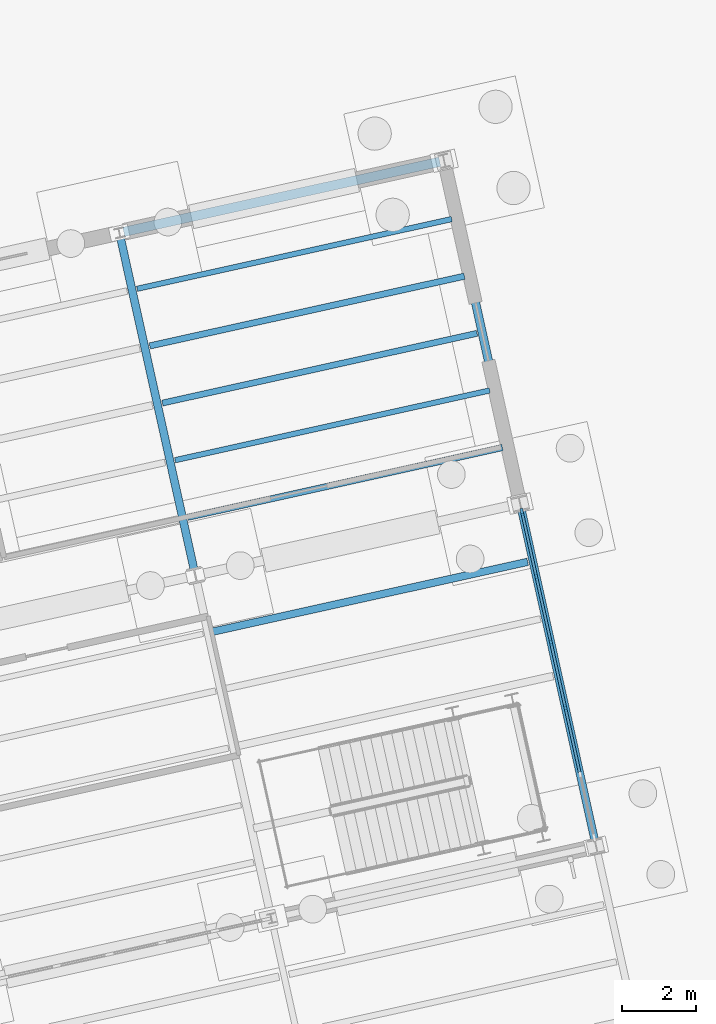
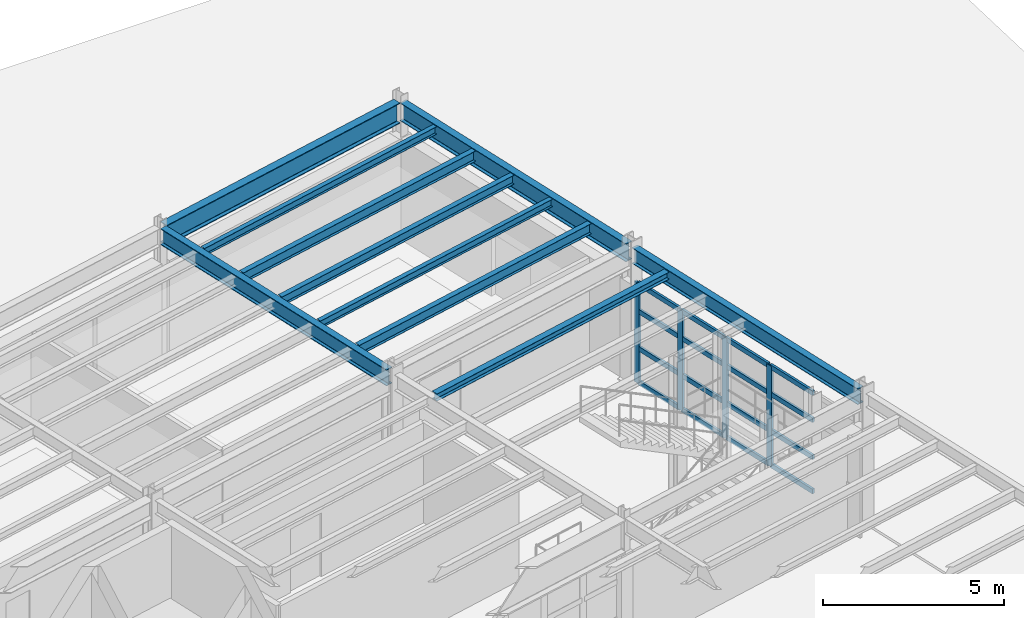
# One storey, part 59 of 108: 20 members, 10 beams, 1 element without a shape of its own.
"""IFC4 building model written with IfcOpenShell, lengths in metres."""

from ifc_helpers import new_model, si_unit, direction, frame, origin, origin_2d, place, context, subcontext, project, spatial, rectangle, i_section, extrude, material, layer, layer_set, material_profile, profile_set, type_object, element, aggregate, save


model = new_model("IFC4")

# Units and contexts
model_context = context("Model", 3, precision=1e-05, world=origin(), true_north=direction((0.0, 1.0)))
body_context = subcontext(model_context, "Body", "Model", "MODEL_VIEW")
ifc_project = project(units=[si_unit("LENGTHUNIT", "METRE"), si_unit("AREAUNIT", "SQUARE_METRE"), si_unit("VOLUMEUNIT", "CUBIC_METRE"), si_unit("PLANEANGLEUNIT", "RADIAN"), si_unit("MASSUNIT", "GRAM", prefix="KILO")], contexts=[model_context])

# Site, building, storey
site_placement = place(None, origin())
site = spatial("IfcSite", under=ifc_project, at=site_placement, CompositionType="ELEMENT")
building_placement = place(site_placement, origin())
building = spatial("IfcBuilding", under=site, at=building_placement, Name="Vireo Bluff Cable Station", CompositionType="ELEMENT")
storey_placement = place(building_placement, origin())
storey = spatial("IfcBuildingStorey", under=building, at=storey_placement, Name="L00", CompositionType="ELEMENT", Elevation=0.0)

# Beam
ifc_material_1 = material(Name="Steel ASTM A992 Gr. 50", Category="steel")
ifc_material_profile_1 = material_profile(ifc_material_1, i_section(OverallWidth=0.214111328125, OverallDepth=0.549072265625, WebThickness=0.0146484375, FlangeThickness=0.023681640625, FilletRadius=0.012939453125, at=origin_2d()), Name="W21X93")
ifc_profile_set_1 = profile_set([ifc_material_profile_1], Name="Steel ASTM A992 Gr. 50")
beam_type_1 = type_object("IfcBeamType", Name="BM-W21X93", PredefinedType="BEAM", material=ifc_profile_set_1)
beam_1_placement = place(storey_placement, frame((148.2216796875, 98.5107421875, 4.265380859375), z_axis=(-0.216430734067, 0.976297975698, 0.0), x_axis=(-0.976297975698, -0.216430734067, 0.0)))
element("IfcBeam", 1, at=beam_1_placement, inside=storey, type_object=beam_type_1, Name="V2 L00 beam 383", PredefinedType="BEAM", context=body_context, shape_type="SweptSolid", body=[
    extrude(i_section(OverallWidth=0.214111328125, OverallDepth=0.549072265625, WebThickness=0.0146484375, FlangeThickness=0.023681640625, FilletRadius=0.012939453125, at=origin_2d()), origin(), (0.0, 0.0, 1.0), 9.260009765625),
])

# Curtain wall, members
ifc_material_2 = material(Name="Anodized Aluminium 6063-T6", Category="aluminium")
ifc_layer = layer(ifc_material_2, 0.159912109375, Name="Anodized Aluminium 6063-T6")
ifc_layer_set = layer_set([ifc_layer], Name="Anodized Aluminium 6063-T6")
curtain_wall_type = type_object("IfcCurtainWallType", Name="CW-STICK-1850", PredefinedType="USERDEFINED", material=ifc_layer_set)
curtain_wall_placement = place(storey_placement, origin())
curtain_wall = element("IfcCurtainWall", 2, at=curtain_wall_placement, inside=storey, type_object=curtain_wall_type, Name="V2 L00 east curtain wall CW-041", ObjectType="STICK CURTAIN WALL", PredefinedType="USERDEFINED")
ifc_material_profile_2 = material_profile(ifc_material_2, rectangle(XDim=0.074951171875, YDim=0.2099609375, at=origin_2d()), Name="ALU-M-75X210")
ifc_profile_set_2 = profile_set([ifc_material_profile_2], Name="Anodized Aluminium 6063-T6")
member_type_1 = type_object("IfcMemberType", Name="CWM-02", PredefinedType="MULLION", material=ifc_profile_set_2)
member_1_placement = place(storey_placement, frame((157.0859375, 100.108154296875, 0.0), z_axis=(0.0, 0.0, 1.0), x_axis=(0.976296012171, 0.216439591156, 0.0)))
member_1 = element("IfcMember", 3, at=member_1_placement, type_object=member_type_1, Name="CW-041 mullion 1", PredefinedType="MULLION", context=body_context, shape_type="SweptSolid", body=[
    extrude(rectangle(XDim=0.074951171875, YDim=0.2099609375, at=origin_2d()), origin(), (0.0, 0.0, 1.0), 3.39990234375),
])
member_2_placement = place(storey_placement, frame((157.4716796875, 98.368408203125, 0.0), z_axis=(0.0, 0.0, 1.0), x_axis=(0.976296012171, 0.216439591156, 0.0)))
member_2 = element("IfcMember", 4, at=member_2_placement, type_object=member_type_1, Name="CW-041 mullion 2", PredefinedType="MULLION", context=body_context, shape_type="SweptSolid", body=[
    extrude(rectangle(XDim=0.074951171875, YDim=0.2099609375, at=origin_2d()), origin(), (0.0, 0.0, 1.0), 3.39990234375),
])
member_3_placement = place(storey_placement, frame((157.865478515625, 96.59228515625, 0.0), z_axis=(0.0, 0.0, 1.0), x_axis=(0.976296012171, 0.216439591156, 0.0)))
member_3 = element("IfcMember", 5, at=member_3_placement, type_object=member_type_1, Name="CW-041 mullion 3", PredefinedType="MULLION", context=body_context, shape_type="SweptSolid", body=[
    extrude(rectangle(XDim=0.074951171875, YDim=0.2099609375, at=origin_2d()), origin(), (0.0, 0.0, 1.0), 3.39990234375),
])
member_4_placement = place(storey_placement, frame((158.25927734375, 94.81591796875, 0.0), z_axis=(0.0, 0.0, 1.0), x_axis=(0.976296012171, 0.216439591156, 0.0)))
member_4 = element("IfcMember", 6, at=member_4_placement, type_object=member_type_1, Name="CW-041 mullion 4", PredefinedType="MULLION", context=body_context, shape_type="SweptSolid", body=[
    extrude(rectangle(XDim=0.074951171875, YDim=0.2099609375, at=origin_2d()), origin(), (0.0, 0.0, 1.0), 3.39990234375),
])
ifc_material_profile_3 = material_profile(ifc_material_2, rectangle(XDim=0.074951171875, YDim=0.159912109375, at=origin_2d()), Name="ALU-T-75X160")
ifc_profile_set_3 = profile_set([ifc_material_profile_3], Name="Anodized Aluminium 6063-T6")
member_type_2 = type_object("IfcMemberType", Name="CWT-02", PredefinedType="USERDEFINED", material=ifc_profile_set_3)
member_5_placement = place(storey_placement, frame((157.09423828125, 100.071533203125, 0.03759765625), z_axis=(0.216400383302, -0.976304703516, 0.0), x_axis=(0.976304703516, 0.216400383302, 0.0)))
member_5 = element("IfcMember", 7, at=member_5_placement, type_object=member_type_2, Name="CW-041 transom 1.1", ObjectType="TRANSOM", PredefinedType="USERDEFINED", context=body_context, shape_type="SweptSolid", body=[
    extrude(rectangle(XDim=0.074951171875, YDim=0.159912109375, at=origin_2d()), origin(), (0.0, 0.0, 1.0), 1.70703125),
])
member_6_placement = place(storey_placement, frame((157.09423828125, 100.071533203125, 1.18994140625), z_axis=(0.216400383302, -0.976304703516, 0.0), x_axis=(0.976304703516, 0.216400383302, 0.0)))
member_6 = element("IfcMember", 8, at=member_6_placement, type_object=member_type_2, Name="CW-041 transom 1.2", ObjectType="TRANSOM", PredefinedType="USERDEFINED", context=body_context, shape_type="SweptSolid", body=[
    extrude(rectangle(XDim=0.074951171875, YDim=0.159912109375, at=origin_2d()), origin(), (0.0, 0.0, 1.0), 1.70703125),
])
member_7_placement = place(storey_placement, frame((157.09423828125, 100.071533203125, 2.447998046875), z_axis=(0.216400383302, -0.976304703516, 0.0), x_axis=(0.976304703516, 0.216400383302, 0.0)))
member_7 = element("IfcMember", 9, at=member_7_placement, type_object=member_type_2, Name="CW-041 transom 1.3", ObjectType="TRANSOM", PredefinedType="USERDEFINED", context=body_context, shape_type="SweptSolid", body=[
    extrude(rectangle(XDim=0.074951171875, YDim=0.159912109375, at=origin_2d()), origin(), (0.0, 0.0, 1.0), 1.70703125),
])
member_8_placement = place(storey_placement, frame((157.09423828125, 100.071533203125, 3.362548828125), z_axis=(0.216400383302, -0.976304703516, 0.0), x_axis=(0.976304703516, 0.216400383302, 0.0)))
member_8 = element("IfcMember", 10, at=member_8_placement, type_object=member_type_2, Name="CW-041 transom 1.4", ObjectType="TRANSOM", PredefinedType="USERDEFINED", context=body_context, shape_type="SweptSolid", body=[
    extrude(rectangle(XDim=0.074951171875, YDim=0.159912109375, at=origin_2d()), origin(), (0.0, 0.0, 1.0), 1.70703125),
])
member_9_placement = place(storey_placement, frame((157.479736328125, 98.331787109375, 0.03759765625), z_axis=(0.216530296152, -0.976275898939, 0.0), x_axis=(0.976275898939, 0.216530296152, 0.0)))
member_9 = element("IfcMember", 11, at=member_9_placement, type_object=member_type_2, Name="CW-041 transom 2.1", ObjectType="TRANSOM", PredefinedType="USERDEFINED", context=body_context, shape_type="SweptSolid", body=[
    extrude(rectangle(XDim=0.074951171875, YDim=0.159912109375, at=origin_2d()), origin(), (0.0, 0.0, 1.0), 1.744140625),
])
member_10_placement = place(storey_placement, frame((157.479736328125, 98.331787109375, 1.18994140625), z_axis=(0.216530296152, -0.976275898939, 0.0), x_axis=(0.976275898939, 0.216530296152, 0.0)))
member_10 = element("IfcMember", 12, at=member_10_placement, type_object=member_type_2, Name="CW-041 transom 2.2", ObjectType="TRANSOM", PredefinedType="USERDEFINED", context=body_context, shape_type="SweptSolid", body=[
    extrude(rectangle(XDim=0.074951171875, YDim=0.159912109375, at=origin_2d()), origin(), (0.0, 0.0, 1.0), 1.744140625),
])
member_11_placement = place(storey_placement, frame((157.479736328125, 98.331787109375, 2.447998046875), z_axis=(0.216530296152, -0.976275898939, 0.0), x_axis=(0.976275898939, 0.216530296152, 0.0)))
member_11 = element("IfcMember", 13, at=member_11_placement, type_object=member_type_2, Name="CW-041 transom 2.3", ObjectType="TRANSOM", PredefinedType="USERDEFINED", context=body_context, shape_type="SweptSolid", body=[
    extrude(rectangle(XDim=0.074951171875, YDim=0.159912109375, at=origin_2d()), origin(), (0.0, 0.0, 1.0), 1.744140625),
])
member_12_placement = place(storey_placement, frame((157.479736328125, 98.331787109375, 3.362548828125), z_axis=(0.216530296152, -0.976275898939, 0.0), x_axis=(0.976275898939, 0.216530296152, 0.0)))
member_12 = element("IfcMember", 14, at=member_12_placement, type_object=member_type_2, Name="CW-041 transom 2.4", ObjectType="TRANSOM", PredefinedType="USERDEFINED", context=body_context, shape_type="SweptSolid", body=[
    extrude(rectangle(XDim=0.074951171875, YDim=0.159912109375, at=origin_2d()), origin(), (0.0, 0.0, 1.0), 1.744140625),
])
member_13_placement = place(storey_placement, frame((157.87353515625, 96.5556640625, 0.03759765625), z_axis=(0.216500711823, -0.976282460039, 0.0), x_axis=(0.976282460039, 0.216500711823, 0.0)))
member_13 = element("IfcMember", 15, at=member_13_placement, type_object=member_type_2, Name="CW-041 transom 3.1", ObjectType="TRANSOM", PredefinedType="USERDEFINED", context=body_context, shape_type="SweptSolid", body=[
    extrude(rectangle(XDim=0.074951171875, YDim=0.159912109375, at=origin_2d()), origin(), (0.0, 0.0, 1.0), 1.744384765625),
])
member_14_placement = place(storey_placement, frame((157.87353515625, 96.5556640625, 1.18994140625), z_axis=(0.216500711823, -0.976282460039, 0.0), x_axis=(0.976282460039, 0.216500711823, 0.0)))
member_14 = element("IfcMember", 16, at=member_14_placement, type_object=member_type_2, Name="CW-041 transom 3.2", ObjectType="TRANSOM", PredefinedType="USERDEFINED", context=body_context, shape_type="SweptSolid", body=[
    extrude(rectangle(XDim=0.074951171875, YDim=0.159912109375, at=origin_2d()), origin(), (0.0, 0.0, 1.0), 1.744384765625),
])
member_15_placement = place(storey_placement, frame((157.87353515625, 96.5556640625, 2.447998046875), z_axis=(0.216500711823, -0.976282460039, 0.0), x_axis=(0.976282460039, 0.216500711823, 0.0)))
member_15 = element("IfcMember", 17, at=member_15_placement, type_object=member_type_2, Name="CW-041 transom 3.3", ObjectType="TRANSOM", PredefinedType="USERDEFINED", context=body_context, shape_type="SweptSolid", body=[
    extrude(rectangle(XDim=0.074951171875, YDim=0.159912109375, at=origin_2d()), origin(), (0.0, 0.0, 1.0), 1.744384765625),
])
member_16_placement = place(storey_placement, frame((157.87353515625, 96.5556640625, 3.362548828125), z_axis=(0.216500711823, -0.976282460039, 0.0), x_axis=(0.976282460039, 0.216500711823, 0.0)))
member_16 = element("IfcMember", 18, at=member_16_placement, type_object=member_type_2, Name="CW-041 transom 3.4", ObjectType="TRANSOM", PredefinedType="USERDEFINED", context=body_context, shape_type="SweptSolid", body=[
    extrude(rectangle(XDim=0.074951171875, YDim=0.159912109375, at=origin_2d()), origin(), (0.0, 0.0, 1.0), 1.744384765625),
])
member_17_placement = place(storey_placement, frame((158.267333984375, 94.779296875, 0.03759765625), z_axis=(0.216500711823, -0.976282460039, 0.0), x_axis=(0.976282460039, 0.216500711823, 0.0)))
member_17 = element("IfcMember", 19, at=member_17_placement, type_object=member_type_2, Name="CW-041 transom 4.1", ObjectType="TRANSOM", PredefinedType="USERDEFINED", context=body_context, shape_type="SweptSolid", body=[
    extrude(rectangle(XDim=0.074951171875, YDim=0.159912109375, at=origin_2d()), origin(), (0.0, 0.0, 1.0), 1.744384765625),
])
member_18_placement = place(storey_placement, frame((158.267333984375, 94.779296875, 1.18994140625), z_axis=(0.216500711823, -0.976282460039, 0.0), x_axis=(0.976282460039, 0.216500711823, 0.0)))
member_18 = element("IfcMember", 20, at=member_18_placement, type_object=member_type_2, Name="CW-041 transom 4.2", ObjectType="TRANSOM", PredefinedType="USERDEFINED", context=body_context, shape_type="SweptSolid", body=[
    extrude(rectangle(XDim=0.074951171875, YDim=0.159912109375, at=origin_2d()), origin(), (0.0, 0.0, 1.0), 1.744384765625),
])
member_19_placement = place(storey_placement, frame((158.267333984375, 94.779296875, 2.447998046875), z_axis=(0.216500711823, -0.976282460039, 0.0), x_axis=(0.976282460039, 0.216500711823, 0.0)))
member_19 = element("IfcMember", 21, at=member_19_placement, type_object=member_type_2, Name="CW-041 transom 4.3", ObjectType="TRANSOM", PredefinedType="USERDEFINED", context=body_context, shape_type="SweptSolid", body=[
    extrude(rectangle(XDim=0.074951171875, YDim=0.159912109375, at=origin_2d()), origin(), (0.0, 0.0, 1.0), 1.744384765625),
])
member_20_placement = place(storey_placement, frame((158.267333984375, 94.779296875, 3.362548828125), z_axis=(0.216500711823, -0.976282460039, 0.0), x_axis=(0.976282460039, 0.216500711823, 0.0)))
member_20 = element("IfcMember", 22, at=member_20_placement, type_object=member_type_2, Name="CW-041 transom 4.4", ObjectType="TRANSOM", PredefinedType="USERDEFINED", context=body_context, shape_type="SweptSolid", body=[
    extrude(rectangle(XDim=0.074951171875, YDim=0.159912109375, at=origin_2d()), origin(), (0.0, 0.0, 1.0), 1.744384765625),
])
aggregate(curtain_wall, [member_1, member_2, member_3, member_4, member_5, member_6, member_7, member_8, member_9, member_10, member_11, member_12, member_13, member_14, member_15, member_16, member_17, member_18, member_19, member_20])

# Beams
ifc_material_profile_4 = material_profile(ifc_material_1, i_section(OverallWidth=0.14599609375, OverallDepth=0.259033203125, WebThickness=0.006103515625, FlangeThickness=0.009033203125, FilletRadius=0.009033203125, at=origin_2d()), Name="W10X22")
ifc_profile_set_4 = profile_set([ifc_material_profile_4], Name="Steel ASTM A992 Gr. 50")
beam_type_2 = type_object("IfcBeamType", Name="JST-W10X22", PredefinedType="JOIST", material=ifc_profile_set_4)
for number, where, z_axis, x_axis, name in (
    (23, (147.698974609375, 101.515380859375, 4.410400390625), (0.976293006815, 0.216453146994, 0.0), (-0.216453146994, 0.976293006815, 0.0), "V2 L00 composite joist 436"),
    (24, (146.6708984375, 106.15283203125, 4.410400390625), (0.976298923088, 0.216426460438, 0.0), (-0.216426460438, 0.976298923088, 0.0), "V2 L00 composite joist 439"),
):
    element("IfcBeam", number, at=place(storey_placement, frame(where, z_axis=z_axis, x_axis=x_axis)), inside=storey, type_object=beam_type_2, Name=name, PredefinedType="JOIST", context=body_context, shape_type="SweptSolid", body=[
        extrude(i_section(OverallWidth=0.14599609375, OverallDepth=0.259033203125, WebThickness=0.006103515625, FlangeThickness=0.009033203125, FilletRadius=0.009033203125, at=origin_2d()), origin(), (0.0, 0.0, 1.0), 8.719970703125),
    ])
ifc_material_profile_5 = material_profile(ifc_material_1, i_section(OverallWidth=0.201904296875, OverallDepth=0.2470703125, WebThickness=0.00732421875, FlangeThickness=0.010986328125, FilletRadius=0.009033203125, at=origin_2d()), Name="W10X33")
ifc_profile_set_5 = profile_set([ifc_material_profile_5], Name="Steel ASTM A992 Gr. 50")
beam_type_3 = type_object("IfcBeamType", Name="JST-W10X33", PredefinedType="JOIST", material=ifc_profile_set_5)
beam_2_placement = place(storey_placement, frame((148.72705078125, 96.8779296875, 4.41650390625), z_axis=(0.976293006815, 0.216453146994, 0.0), x_axis=(-0.216453146994, 0.976293006815, 0.0)))
element("IfcBeam", 25, at=beam_2_placement, inside=storey, type_object=beam_type_3, Name="V2 L00 composite joist 434", PredefinedType="JOIST", context=body_context, shape_type="SweptSolid", body=[
    extrude(i_section(OverallWidth=0.201904296875, OverallDepth=0.2470703125, WebThickness=0.00732421875, FlangeThickness=0.010986328125, FilletRadius=0.009033203125, at=origin_2d()), origin(), (0.0, 0.0, 1.0), 8.719970703125),
])
ifc_material_profile_6 = material_profile(ifc_material_1, i_section(OverallWidth=0.1650390625, OverallDepth=0.31005859375, WebThickness=0.005859375, FlangeThickness=0.009765625, FilletRadius=0.010009765625, at=origin_2d()), Name="W12X26")
ifc_profile_set_6 = profile_set([ifc_material_profile_6], Name="Steel ASTM A992 Gr. 50")
beam_type_4 = type_object("IfcBeamType", Name="JST-W12X26", PredefinedType="JOIST", material=ifc_profile_set_6)
beam_3_placement = place(storey_placement, frame((147.356201171875, 103.061279296875, 4.385009765625), z_axis=(0.976300234484, 0.216420544652, 0.0), x_axis=(-0.216420544652, 0.976300234484, 0.0)))
element("IfcBeam", 26, at=beam_3_placement, inside=storey, type_object=beam_type_4, Name="V2 L00 composite joist 437", PredefinedType="JOIST", context=body_context, shape_type="SweptSolid", body=[
    extrude(i_section(OverallWidth=0.1650390625, OverallDepth=0.31005859375, WebThickness=0.005859375, FlangeThickness=0.009765625, FilletRadius=0.010009765625, at=origin_2d()), origin(), (0.0, 0.0, 1.0), 8.719970703125),
])
ifc_material_profile_7 = material_profile(ifc_material_1, i_section(OverallWidth=0.1708984375, OverallDepth=0.35107421875, WebThickness=0.0068359375, FlangeThickness=0.009765625, FilletRadius=0.010009765625, at=origin_2d()), Name="W14X30")
ifc_profile_set_7 = profile_set([ifc_material_profile_7], Name="Steel ASTM A992 Gr. 50")
beam_type_5 = type_object("IfcBeamType", Name="JST-W14X30", PredefinedType="JOIST", material=ifc_profile_set_7)
for number, where, z_axis, x_axis, name in (
    (27, (148.04150390625, 99.969482421875, 4.364501953125), (0.976294318526, 0.216447230551, 0.0), (-0.216447230551, 0.976294318526, 0.0), "V2 L00 composite joist 435"),
    (28, (147.013427734375, 104.60693359375, 4.364501953125), (0.976294318526, 0.216447230551, 0.0), (-0.216447230551, 0.976294318526, 0.0), "V2 L00 composite joist 438"),
):
    element("IfcBeam", number, at=place(storey_placement, frame(where, z_axis=z_axis, x_axis=x_axis)), inside=storey, type_object=beam_type_5, Name=name, PredefinedType="JOIST", context=body_context, shape_type="SweptSolid", body=[
        extrude(i_section(OverallWidth=0.1708984375, OverallDepth=0.35107421875, WebThickness=0.0068359375, FlangeThickness=0.009765625, FilletRadius=0.010009765625, at=origin_2d()), origin(), (0.0, 0.0, 1.0), 8.72021484375),
    ])
ifc_material_profile_8 = material_profile(ifc_material_1, i_section(OverallWidth=0.2099609375, OverallDepth=0.535888671875, WebThickness=0.010986328125, FlangeThickness=0.017333984375, FilletRadius=0.012939453125, at=origin_2d()), Name="W21X68")
ifc_profile_set_8 = profile_set([ifc_material_profile_8], Name="Steel ASTM A992 Gr. 50")
beam_type_6 = type_object("IfcBeamType", Name="SPN-W21X68", PredefinedType="SPANDREL", material=ifc_profile_set_8)
beam_4_placement = place(storey_placement, frame((159.064453125, 91.183837890625, 4.27197265625), z_axis=(-0.216430734067, 0.976297975698, 0.0), x_axis=(-0.976297975698, -0.216430734067, 0.0)))
element("IfcBeam", 29, at=beam_4_placement, inside=storey, type_object=beam_type_6, Name="V2 L00 spandrel 385", PredefinedType="SPANDREL", context=body_context, shape_type="SweptSolid", body=[
    extrude(i_section(OverallWidth=0.2099609375, OverallDepth=0.535888671875, WebThickness=0.010986328125, FlangeThickness=0.017333984375, FilletRadius=0.012939453125, at=origin_2d()), origin(), (0.0, 0.0, 1.0), 9.260009765625),
])
ifc_material_profile_9 = material_profile(ifc_material_1, i_section(OverallWidth=0.22802734375, OverallDepth=0.60693359375, WebThickness=0.01123046875, FlangeThickness=0.017333984375, FilletRadius=0.012939453125, at=origin_2d()), Name="W24X76")
ifc_profile_set_9 = profile_set([ifc_material_profile_9], Name="Steel ASTM A992 Gr. 50")
beam_type_7 = type_object("IfcBeamType", Name="SPN-W24X76", PredefinedType="SPANDREL", material=ifc_profile_set_9)
beam_5_placement = place(storey_placement, frame((157.00830078125, 100.45849609375, 4.236572265625), z_axis=(-0.216430734067, 0.976297975698, 0.0), x_axis=(-0.976297975698, -0.216430734067, 0.0)))
element("IfcBeam", 30, at=beam_5_placement, inside=storey, type_object=beam_type_7, Name="V2 L00 spandrel 386", PredefinedType="SPANDREL", context=body_context, shape_type="SweptSolid", body=[
    extrude(i_section(OverallWidth=0.22802734375, OverallDepth=0.60693359375, WebThickness=0.01123046875, FlangeThickness=0.017333984375, FilletRadius=0.012939453125, at=origin_2d()), origin(), (0.0, 0.0, 1.0), 9.260009765625),
])
ifc_material_profile_10 = material_profile(ifc_material_1, i_section(OverallWidth=0.257080078125, OverallDepth=0.693115234375, WebThickness=0.014404296875, FlangeThickness=0.023681640625, FilletRadius=0.014892578125, at=origin_2d()), Name="W27X114")
ifc_profile_set_10 = profile_set([ifc_material_profile_10], Name="Steel ASTM A992 Gr. 50")
beam_type_8 = type_object("IfcBeamType", Name="SPN-W27X114", PredefinedType="SPANDREL", material=ifc_profile_set_10)
beam_6_placement = place(storey_placement, frame((146.30859375, 107.6943359375, 4.193603515625), z_axis=(0.97629710087, 0.216434680293, 0.0), x_axis=(-0.216434680293, 0.97629710087, 0.0)))
element("IfcBeam", 31, at=beam_6_placement, inside=storey, type_object=beam_type_8, Name="V2 L00 spandrel 371", PredefinedType="SPANDREL", context=body_context, shape_type="SweptSolid", body=[
    extrude(i_section(OverallWidth=0.257080078125, OverallDepth=0.693115234375, WebThickness=0.014404296875, FlangeThickness=0.023681640625, FilletRadius=0.014892578125, at=origin_2d()), origin(), (0.0, 0.0, 1.0), 8.760009765625),
])

save(model, "model.ifc")
